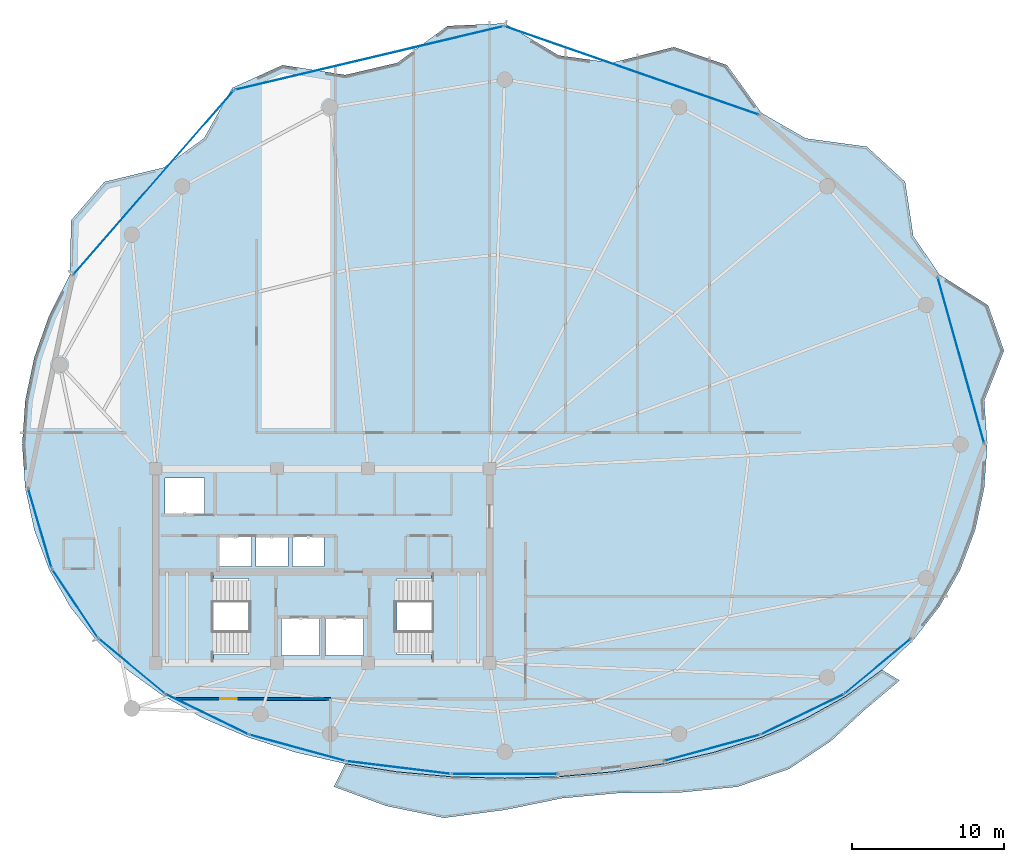
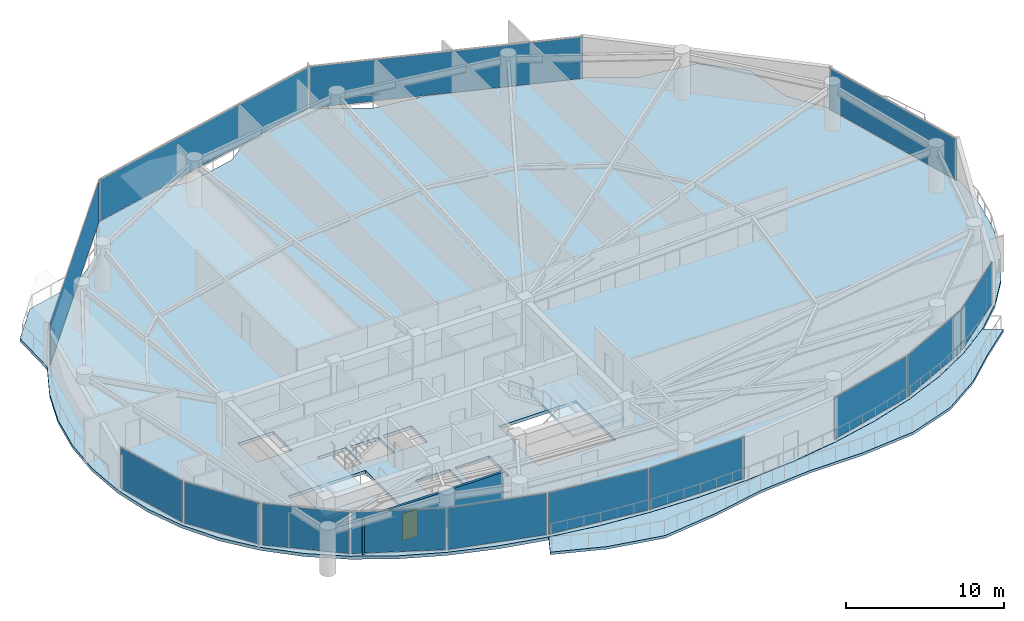
# One storey, part 22 of 28: 14 plates, 4 slabs, 1 door, 1 wall, 1 opening, 16 elements without a shape of their own.
"""IFC4 building model written with IfcOpenShell, lengths in metres."""

from ifc_helpers import new_model, si_unit, direction, frame, frame_2d, origin, origin_2d, place, context, subcontext, project, spatial, polyline, rectangle, outline, extrude, material, layer, layer_set, type_object, element, fill, aggregate, save


model = new_model("IFC4")

# Units and contexts
model_context = context("Model", 3, precision=1e-05, world=origin(), true_north=direction((0.0, 1.0)))
body_context = subcontext(model_context, "Body", "Model", "MODEL_VIEW")
ifc_project = project(units=[si_unit("LENGTHUNIT", "METRE"), si_unit("AREAUNIT", "SQUARE_METRE"), si_unit("VOLUMEUNIT", "CUBIC_METRE"), si_unit("PLANEANGLEUNIT", "RADIAN"), si_unit("MASSUNIT", "GRAM", prefix="KILO")], contexts=[model_context])

# Site, building, storey
site_placement = place(None, origin())
site = spatial("IfcSite", under=ifc_project, at=site_placement, CompositionType="ELEMENT")
building_placement = place(site_placement, origin())
building = spatial("IfcBuilding", under=site, at=building_placement, Name="Kazevale Care Tower and Concert Hall", CompositionType="ELEMENT")
storey_placement = place(building_placement, frame((0.0, 0.0, 228.0)))
storey = spatial("IfcBuildingStorey", under=building, at=storey_placement, Name="L60", CompositionType="ELEMENT", Elevation=228.0)

# Curtain wall, plate
ifc_material_1 = material(Name="Aluminium 6063-T6 and Low-E Glass", Category="aluminium")
ifc_layer_1 = layer(ifc_material_1, 0.179931640625)
ifc_layer_set_1 = layer_set([ifc_layer_1], Name="Aluminium 6063-T6 and Low-E Glass")
curtain_wall_type_1 = type_object("IfcCurtainWallType", Name="Convex Checkerboard Finned Curtain Wall CW-2", PredefinedType="NOTDEFINED", material=ifc_layer_set_1)
curtain_wall_1_placement = place(storey_placement, origin())
curtain_wall_1 = element("IfcCurtainWall", 1, at=curtain_wall_1_placement, inside=storey, type_object=curtain_wall_type_1, Name="cw:L60:f14", PredefinedType="NOTDEFINED")
ifc_material_2 = material(Name="Low-E Laminated Glass", Category="glass")
ifc_layer_2 = layer(ifc_material_2, 0.028076171875)
ifc_layer_set_2 = layer_set([ifc_layer_2], Name="Low-E Laminated Glass")
plate_type_1 = type_object("IfcPlateType", Name="CW-2 Low-E Glazing Panel 28mm", PredefinedType="CURTAIN_PANEL", material=ifc_layer_set_2)
plate_1_placement = place(storey_placement, frame((21.85009765625, 55.2529296875, 0.074951171875), z_axis=(0.0, 0.0, 1.0), x_axis=(0.657174776708, 0.753738225685, 0.0)))
plate_1 = element("IfcPlate", 2, at=plate_1_placement, type_object=plate_type_1, Name="CW-2 panel 1.1", PredefinedType="CURTAIN_PANEL", context=body_context, shape_type="SweptSolid", body=[
    extrude(rectangle(XDim=16.03662109375, YDim=0.028076171875, at=origin_2d()), origin(), (0.0, 0.0, 1.0), 3.2099609375),
])
aggregate(curtain_wall_1, [plate_1])

curtain_wall_2_placement = place(storey_placement, origin())
curtain_wall_2 = element("IfcCurtainWall", 3, at=curtain_wall_2_placement, inside=storey, type_object=curtain_wall_type_1, Name="cw:L60:f16", PredefinedType="NOTDEFINED")
plate_2_placement = place(storey_placement, frame((53.37451171875, 62.638427734375, 0.074951171875), z_axis=(0.0, 0.0, 1.0), x_axis=(0.94447485363, -0.328583704497, 0.0)))
plate_2 = element("IfcPlate", 4, at=plate_2_placement, type_object=plate_type_1, Name="CW-2 panel 1.1", PredefinedType="CURTAIN_PANEL", context=body_context, shape_type="SweptSolid", body=[
    extrude(rectangle(XDim=17.671142578125, YDim=0.028076171875, at=origin_2d()), origin(), (0.0, 0.0, 1.0), 3.2099609375),
])
aggregate(curtain_wall_2, [plate_2])

ifc_layer_3 = layer(ifc_material_1, 0.179931640625)
ifc_layer_set_3 = layer_set([ifc_layer_3], Name="Aluminium 6063-T6 and Low-E Glass")
curtain_wall_type_2 = type_object("IfcCurtainWallType", Name="Waist & Upper Residential Curtain Wall CW-4", PredefinedType="NOTDEFINED", material=ifc_layer_set_3)
curtain_wall_3_placement = place(storey_placement, origin())
curtain_wall_3 = element("IfcCurtainWall", 5, at=curtain_wall_3_placement, inside=storey, type_object=curtain_wall_type_2, Name="cw:L60:f11", PredefinedType="NOTDEFINED")
ifc_layer_4 = layer(ifc_material_2, 0.030029296875)
ifc_layer_set_4 = layer_set([ifc_layer_4], Name="Low-E Laminated Glass")
plate_type_2 = type_object("IfcPlateType", Name="CW-4 Low-E Glazing Panel 30mm", PredefinedType="CURTAIN_PANEL", material=ifc_layer_set_4)
plate_3_placement = place(storey_placement, frame((16.677978515625, 27.525390625, 0.080078125), z_axis=(0.0, 0.0, 1.0), x_axis=(-0.554616540853, 0.832106058512, 0.0)))
plate_3 = element("IfcPlate", 6, at=plate_3_placement, type_object=plate_type_2, Name="CW-4 panel 1.1", PredefinedType="CURTAIN_PANEL", context=body_context, shape_type="SweptSolid", body=[
    extrude(rectangle(XDim=5.357421875, YDim=0.030029296875, at=origin_2d()), origin(), (0.0, 0.0, 1.0), 3.199951171875),
])
aggregate(curtain_wall_3, [plate_3])

curtain_wall_4_placement = place(storey_placement, origin())
curtain_wall_4 = element("IfcCurtainWall", 7, at=curtain_wall_4_placement, inside=storey, type_object=curtain_wall_type_2, Name="cw:L60:f12", PredefinedType="NOTDEFINED")
plate_4_placement = place(storey_placement, frame((14.363525390625, 32.489013671875, 0.080078125), z_axis=(0.0, 0.0, 1.0), x_axis=(-0.282098184457, 0.959385539982, 0.0)))
plate_4 = element("IfcPlate", 8, at=plate_4_placement, type_object=plate_type_2, Name="CW-4 panel 1.1", PredefinedType="CURTAIN_PANEL", context=body_context, shape_type="SweptSolid", body=[
    extrude(rectangle(XDim=5.40185546875, YDim=0.030029296875, at=origin_2d()), origin(), (0.0, 0.0, 1.0), 3.199951171875),
])
aggregate(curtain_wall_4, [plate_4])

curtain_wall_5_placement = place(storey_placement, origin())
curtain_wall_5 = element("IfcCurtainWall", 9, at=curtain_wall_5_placement, inside=storey, type_object=curtain_wall_type_2, Name="cw:L60:f15", PredefinedType="NOTDEFINED")
plate_5_placement = place(storey_placement, frame((36.06298828125, 63.46240234375, 0.080078125), z_axis=(0.0, 0.0, 1.0), x_axis=(0.973086746233, 0.230439111929, 0.0)))
plate_5 = element("IfcPlate", 10, at=plate_5_placement, type_object=plate_type_2, Name="CW-4 panel 1.1", PredefinedType="CURTAIN_PANEL", context=body_context, shape_type="SweptSolid", body=[
    extrude(rectangle(XDim=18.11376953125, YDim=0.030029296875, at=origin_2d()), origin(), (0.0, 0.0, 1.0), 3.199951171875),
])
aggregate(curtain_wall_5, [plate_5])

curtain_wall_6_placement = place(storey_placement, origin())
curtain_wall_6 = element("IfcCurtainWall", 11, at=curtain_wall_6_placement, inside=storey, type_object=curtain_wall_type_2, Name="cw:L60:f18", PredefinedType="NOTDEFINED")
plate_6_placement = place(storey_placement, frame((75.071533203125, 43.531005859375, 0.080078125), z_axis=(0.0, 0.0, 1.0), x_axis=(0.269600864915, -0.962972156211, 0.0)))
plate_6 = element("IfcPlate", 12, at=plate_6_placement, type_object=plate_type_2, Name="CW-4 panel 1.1", PredefinedType="CURTAIN_PANEL", context=body_context, shape_type="SweptSolid", body=[
    extrude(rectangle(XDim=11.327392578125, YDim=0.030029296875, at=origin_2d()), origin(), (0.0, 0.0, 1.0), 3.199951171875),
])
aggregate(curtain_wall_6, [plate_6])

ifc_layer_5 = layer(ifc_material_1, 0.179931640625)
ifc_layer_set_5 = layer_set([ifc_layer_5], Name="Aluminium 6063-T6 and Low-E Glass")
curtain_wall_type_3 = type_object("IfcCurtainWallType", Name="Sheltered Concave Balcony Curtain Wall CW-5", PredefinedType="NOTDEFINED", material=ifc_layer_set_5)
curtain_wall_7_placement = place(storey_placement, origin())
curtain_wall_7 = element("IfcCurtainWall", 13, at=curtain_wall_7_placement, inside=storey, type_object=curtain_wall_type_3, Name="cw:L60:f02", PredefinedType="NOTDEFINED")
ifc_layer_6 = layer(ifc_material_2, 0.02587890625)
ifc_layer_set_6 = layer_set([ifc_layer_6], Name="Low-E Laminated Glass")
plate_type_3 = type_object("IfcPlateType", Name="CW-5 Low-E Glazing Panel 26mm", PredefinedType="CURTAIN_PANEL", material=ifc_layer_set_6)
plate_7_placement = place(storey_placement, frame((69.590576171875, 23.396484375, 0.074951171875), z_axis=(0.0, 0.0, 1.0), x_axis=(-0.768407210062, -0.639961217204, 0.0)))
plate_7 = element("IfcPlate", 14, at=plate_7_placement, type_object=plate_type_3, Name="CW-5 panel 1.1", PredefinedType="CURTAIN_PANEL", context=body_context, shape_type="SweptSolid", body=[
    extrude(rectangle(XDim=5.580078125, YDim=0.02587890625, at=origin_2d()), origin(), (0.0, 0.0, 1.0), 3.2099609375),
])
aggregate(curtain_wall_7, [plate_7])

curtain_wall_8_placement = place(storey_placement, origin())
curtain_wall_8 = element("IfcCurtainWall", 15, at=curtain_wall_8_placement, inside=storey, type_object=curtain_wall_type_3, Name="cw:L60:f03", PredefinedType="NOTDEFINED")
plate_8_placement = place(storey_placement, frame((64.62255859375, 20.218017578125, 0.074951171875), z_axis=(0.0, 0.0, 1.0), x_axis=(-0.89934566163, -0.437238357087, 0.0)))
plate_8 = element("IfcPlate", 16, at=plate_8_placement, type_object=plate_type_3, Name="CW-5 panel 1.1", PredefinedType="CURTAIN_PANEL", context=body_context, shape_type="SweptSolid", body=[
    extrude(rectangle(XDim=6.002197265625, YDim=0.02587890625, at=origin_2d()), origin(), (0.0, 0.0, 1.0), 3.2099609375),
])
aggregate(curtain_wall_8, [plate_8])

curtain_wall_9_placement = place(storey_placement, origin())
curtain_wall_9 = element("IfcCurtainWall", 17, at=curtain_wall_9_placement, inside=storey, type_object=curtain_wall_type_3, Name="cw:L60:f04", PredefinedType="NOTDEFINED")
plate_9_placement = place(storey_placement, frame((58.66259765625, 18.0029296875, 0.074951171875), z_axis=(0.0, 0.0, 1.0), x_axis=(-0.964836991167, -0.262848968947, 0.0)))
plate_9 = element("IfcPlate", 18, at=plate_9_placement, type_object=plate_type_3, Name="CW-5 panel 1.1", PredefinedType="CURTAIN_PANEL", context=body_context, shape_type="SweptSolid", body=[
    extrude(rectangle(XDim=6.4697265625, YDim=0.02587890625, at=origin_2d()), origin(), (0.0, 0.0, 1.0), 3.2099609375),
])
aggregate(curtain_wall_9, [plate_9])

curtain_wall_10_placement = place(storey_placement, origin())
curtain_wall_10 = element("IfcCurtainWall", 19, at=curtain_wall_10_placement, inside=storey, type_object=curtain_wall_type_3, Name="cw:L60:f06", PredefinedType="NOTDEFINED")
plate_10_placement = place(storey_placement, frame((45.0, 16.284912109375, 0.074951171875), z_axis=(0.0, 0.0, 1.0), x_axis=(-1.0, 0.0, 0.0)))
plate_10 = element("IfcPlate", 20, at=plate_10_placement, type_object=plate_type_3, Name="CW-5 panel 1.1", PredefinedType="CURTAIN_PANEL", context=body_context, shape_type="SweptSolid", body=[
    extrude(rectangle(XDim=6.949951171875, YDim=0.02587890625, at=origin_2d()), origin(), (0.0, 0.0, 1.0), 3.2099609375),
])
aggregate(curtain_wall_10, [plate_10])

curtain_wall_11_placement = place(storey_placement, origin())
curtain_wall_11 = element("IfcCurtainWall", 21, at=curtain_wall_11_placement, inside=storey, type_object=curtain_wall_type_3, Name="cw:L60:f07", PredefinedType="NOTDEFINED")
plate_11_placement = place(storey_placement, frame((37.990478515625, 16.708984375, 0.074951171875), z_axis=(0.0, 0.0, 1.0), x_axis=(-0.992572961225, 0.121650797964, 0.0)))
plate_11 = element("IfcPlate", 22, at=plate_11_placement, type_object=plate_type_3, Name="CW-5 panel 1.1", PredefinedType="CURTAIN_PANEL", context=body_context, shape_type="SweptSolid", body=[
    extrude(rectangle(XDim=6.82080078125, YDim=0.02587890625, at=origin_2d()), origin(), (0.0, 0.0, 1.0), 3.2099609375),
])
aggregate(curtain_wall_11, [plate_11])

curtain_wall_12_placement = place(storey_placement, origin())
curtain_wall_12 = element("IfcCurtainWall", 23, at=curtain_wall_12_placement, inside=storey, type_object=curtain_wall_type_3, Name="cw:L60:f08", PredefinedType="NOTDEFINED")
plate_12_placement = place(storey_placement, frame((31.33740234375, 18.0029296875, 0.074951171875), z_axis=(0.0, 0.0, 1.0), x_axis=(-0.964836991167, 0.262848968947, 0.0)))
plate_12 = element("IfcPlate", 24, at=plate_12_placement, type_object=plate_type_3, Name="CW-5 panel 1.1", PredefinedType="CURTAIN_PANEL", context=body_context, shape_type="SweptSolid", body=[
    extrude(rectangle(XDim=6.4697265625, YDim=0.02587890625, at=origin_2d()), origin(), (0.0, 0.0, 1.0), 3.2099609375),
])
aggregate(curtain_wall_12, [plate_12])

curtain_wall_13_placement = place(storey_placement, origin())
curtain_wall_13 = element("IfcCurtainWall", 25, at=curtain_wall_13_placement, inside=storey, type_object=curtain_wall_type_3, Name="cw:L60:f09", PredefinedType="NOTDEFINED")
plate_13_placement = place(storey_placement, frame((25.37744140625, 20.218017578125, 0.074951171875), z_axis=(0.0, 0.0, 1.0), x_axis=(-0.89934566163, 0.437238357087, 0.0)))
plate_13 = element("IfcPlate", 26, at=plate_13_placement, type_object=plate_type_3, Name="CW-5 panel 1.1", PredefinedType="CURTAIN_PANEL", context=body_context, shape_type="SweptSolid", body=[
    extrude(rectangle(XDim=6.002197265625, YDim=0.02587890625, at=origin_2d()), origin(), (0.0, 0.0, 1.0), 3.2099609375),
])
aggregate(curtain_wall_13, [plate_13])

curtain_wall_14_placement = place(storey_placement, origin())
curtain_wall_14 = element("IfcCurtainWall", 27, at=curtain_wall_14_placement, inside=storey, type_object=curtain_wall_type_3, Name="cw:L60:f10", PredefinedType="NOTDEFINED")
plate_14_placement = place(storey_placement, frame((20.409423828125, 23.396484375, 0.074951171875), z_axis=(0.0, 0.0, 1.0), x_axis=(-0.768407210062, 0.639961217204, 0.0)))
plate_14 = element("IfcPlate", 28, at=plate_14_placement, type_object=plate_type_3, Name="CW-5 panel 1.1", PredefinedType="CURTAIN_PANEL", context=body_context, shape_type="SweptSolid", body=[
    extrude(rectangle(XDim=5.580078125, YDim=0.02587890625, at=origin_2d()), origin(), (0.0, 0.0, 1.0), 3.2099609375),
])
aggregate(curtain_wall_14, [plate_14])

# Slab
ifc_material_3 = material(Name="Concrete C40", Category="concrete")
ifc_layer_7 = layer(ifc_material_3, 0.199951171875)
ifc_layer_set_7 = layer_set([ifc_layer_7], Name="Concrete C40")
slab_type_1 = type_object("IfcSlabType", Name="Sinusoidal Concave Balcony Slab 200", PredefinedType="USERDEFINED", material=ifc_layer_set_7)
slab_1_placement = place(storey_placement, frame((0.0, 0.0, -0.199951171875)))
element("IfcSlab", 29, at=slab_1_placement, inside=storey, type_object=slab_type_1, Name="slab:L60:bal", ObjectType="BALCONY", PredefinedType="USERDEFINED", context=body_context, shape_type="SweptSolid", body=[
    extrude(outline(polyline([(71.021240234375, 22.44384765625), (68.714599609375, 20.504150390625), (66.472900390625, 18.43408203125), (63.746826171875, 16.6181640625), (60.34375, 15.43994140625), (56.45263671875, 15.052978515625), (52.53369140625, 15.027099609375), (48.791259765625, 14.6865234375), (45.0, 13.91357421875), (40.998046875, 13.39111328125), (37.187744140625, 14.177734375), (33.743408203125, 15.446044921875), (34.494873046875, 16.951416015625), (34.49609375, 16.951171875), (37.923095703125, 16.417236328125), (41.439208984375, 16.10009765625), (45.0, 15.9951171875), (48.560791015625, 16.10009765625), (52.076904296875, 16.417236328125), (55.50390625, 16.951171875), (58.798828125, 17.708740234375), (61.92041015625, 18.69873046875), (64.8291015625, 19.92919921875), (67.48876953125, 21.406494140625), (69.865478515625, 23.133056640625), (69.86669921875, 23.13427734375), (71.021240234375, 22.44384765625)])), origin(), (0.0, 0.0, 1.0), 0.199951171875),
])

# Stair, slab
stair_type = type_object("IfcStairType", Name="Exit Stair Assembly ST1-Z3", PredefinedType="HALF_TURN_STAIR", material=ifc_material_3)
stair_1_placement = place(storey_placement, origin())
stair_1 = element("IfcStair", 30, at=stair_1_placement, inside=storey, type_object=stair_type, Name="stair:L60:ST1", PredefinedType="HALF_TURN_STAIR")
ifc_layer_8 = layer(ifc_material_3, 0.199951171875)
ifc_layer_set_8 = layer_set([ifc_layer_8], Name="Concrete C40")
slab_type_2 = type_object("IfcSlabType", Name="Stair Half-Landing Slab ST1-Z3", PredefinedType="LANDING", material=ifc_layer_set_8)
slab_2_placement = place(storey_placement, frame((0.0, 0.0, 1.60009765625)))
slab_2 = element("IfcSlab", 31, at=slab_2_placement, type_object=slab_type_2, Name="ST1-Z3 landing 1", PredefinedType="LANDING", context=body_context, shape_type="SweptSolid", body=[
    extrude(outline(polyline([(22.050048828125, 23.699951171875), (25.81005859375, 23.699951171875), (25.81005859375, 29.5), (22.050048828125, 29.5), (22.050048828125, 23.699951171875)])), origin(), (0.0, 0.0, 1.0), 0.199951171875),
])
aggregate(stair_1, [slab_2])

stair_2_placement = place(storey_placement, origin())
stair_2 = element("IfcStair", 32, at=stair_2_placement, inside=storey, type_object=stair_type, Name="stair:L60:ST2", PredefinedType="HALF_TURN_STAIR")
slab_3_placement = place(storey_placement, frame((0.0, 0.0, 1.60009765625)))
slab_3 = element("IfcSlab", 33, at=slab_3_placement, type_object=slab_type_2, Name="ST1-Z3 landing 1", PredefinedType="LANDING", context=body_context, shape_type="SweptSolid", body=[
    extrude(outline(polyline([(40.18994140625, 23.699951171875), (43.949951171875, 23.699951171875), (43.949951171875, 29.5), (40.18994140625, 29.5), (40.18994140625, 23.699951171875)])), origin(), (0.0, 0.0, 1.0), 0.199951171875),
])
aggregate(stair_2, [slab_3])

# Slab
ifc_layer_9 = layer(ifc_material_3, 0.239990234375)
ifc_layer_set_9 = layer_set([ifc_layer_9], Name="Concrete C40")
slab_type_3 = type_object("IfcSlabType", Name="Tower Typical Floor Slab 240", PredefinedType="FLOOR", material=ifc_layer_set_9)
slab_4_placement = place(storey_placement, frame((0.0, 0.0, -0.239990234375)))
element("IfcSlab", 34, at=slab_4_placement, inside=storey, type_object=slab_type_3, Name="slab:L60:tw:1", PredefinedType="FLOOR", context=body_context, shape_type="SweptSolid", body=[
    extrude(outline(polyline([(76.800048828125, 38.0), (76.60009765625, 40.888671875), (77.90380859375, 44.175048828125), (76.856201171875, 47.165283203125), (73.65087890625, 49.194091796875), (71.92578125, 51.726318359375), (71.38671875, 55.3017578125), (68.864990234375, 57.622314453125), (64.826904296875, 58.17138671875), (61.918701171875, 59.845458984375), (59.6435546875, 63.001953125), (56.14697265625, 64.19287109375), (52.076171875, 63.153076171875), (48.560546875, 63.6376953125), (45.0, 65.75), (41.22119140625, 65.575439453125), (37.923828125, 63.153076171875), (34.4970703125, 62.352294921875), (30.3564453125, 63.001953125), (27.0439453125, 61.49658203125), (25.173095703125, 58.17138671875), (22.513916015625, 56.243408203125), (18.61328125, 55.3017578125), (16.423095703125, 52.763916015625), (16.34912109375, 49.194091796875), (14.984619140625, 46.521240234375), (13.997314453125, 43.740966796875), (13.39990234375, 40.888671875), (13.199951171875, 38.0), (13.39990234375, 35.131103515625), (13.997314453125, 32.362060546875), (14.984619140625, 29.744873046875), (16.34912109375, 27.318115234375), (18.07421875, 25.109130859375), (20.1376953125, 23.13671875), (22.513916015625, 21.41064453125), (25.173095703125, 19.933837890625), (28.081298828125, 18.70361328125), (31.202392578125, 17.713623046875), (34.4970703125, 16.9560546875), (37.923828125, 16.422119140625), (41.439453125, 16.10498046875), (45.0, 16.0), (48.560546875, 16.10498046875), (52.076171875, 16.422119140625), (55.5029296875, 16.9560546875), (58.797607421875, 17.713623046875), (61.918701171875, 18.70361328125), (64.826904296875, 19.933837890625), (67.486083984375, 21.41064453125), (69.8623046875, 23.13671875), (71.92578125, 25.109130859375), (73.65087890625, 27.318115234375), (75.015380859375, 29.744873046875), (76.002685546875, 32.362060546875), (76.60009765625, 35.131103515625), (76.800048828125, 38.0)]), holes=[polyline([(22.449951171875, 24.14990234375), (28.110107421875, 24.14990234375), (28.110107421875, 29.14990234375), (22.449951171875, 29.14990234375), (22.449951171875, 24.14990234375)]), polyline([(37.889892578125, 24.14990234375), (43.550048828125, 24.14990234375), (43.550048828125, 29.14990234375), (37.889892578125, 29.14990234375), (37.889892578125, 24.14990234375)]), polyline([(30.300048828125, 24.10009765625), (32.800048828125, 24.10009765625), (32.800048828125, 26.60009765625), (30.300048828125, 26.60009765625), (30.300048828125, 24.10009765625)]), polyline([(33.199951171875, 24.10009765625), (35.699951171875, 24.10009765625), (35.699951171875, 26.60009765625), (33.199951171875, 26.60009765625), (33.199951171875, 24.10009765625)]), polyline([(22.60009765625, 33.39990234375), (25.199951171875, 33.39990234375), (25.199951171875, 35.800048828125), (22.60009765625, 35.800048828125), (22.60009765625, 33.39990234375)]), polyline([(26.199951171875, 29.949951171875), (28.300048828125, 29.949951171875), (28.300048828125, 31.949951171875), (26.199951171875, 31.949951171875), (26.199951171875, 29.949951171875)]), polyline([(28.60009765625, 29.949951171875), (30.699951171875, 29.949951171875), (30.699951171875, 31.949951171875), (28.60009765625, 31.949951171875), (28.60009765625, 29.949951171875)]), polyline([(31.0, 29.949951171875), (33.10009765625, 29.949951171875), (33.10009765625, 31.949951171875), (31.0, 31.949951171875), (31.0, 29.949951171875)])]), origin(), (0.0, 0.0, 1.0), 0.239990234375),
])

# Wall, opening, door
ifc_material_4 = material(Name="Concrete C40 and Acoustic Gypsum", Category="concrete")
ifc_layer_10 = layer(ifc_material_4, 0.179931640625)
ifc_layer_set_10 = layer_set([ifc_layer_10], Name="Concrete C40 and Acoustic Gypsum")
wall_type = type_object("IfcWallType", Name="Fire-Rated Corridor & Party Wall 180", PredefinedType="PARTITIONING", material=ifc_layer_set_10)
wall_placement = place(storey_placement, frame((33.56494140625, 21.22509765625, 0.0), z_axis=(0.0, 0.0, 1.0), x_axis=(-0.999998619279, 0.001661758222, 0.0)))
wall = element("IfcWall", 35, at=wall_placement, inside=storey, type_object=wall_type, Name="wall:L60:auto_013", PredefinedType="PARTITIONING", context=body_context, shape_type="SweptSolid", body=[
    extrude(rectangle(XDim=10.2841796875, YDim=0.179931640625, at=frame_2d((5.14208984375, 0.0))), origin(), (0.0, 0.0, 1.0), 2.805908203125),
])
opening_placement = place(wall_placement, frame((6.22900390625, 0.0, 0.0)))
opening = element("IfcOpeningElement", 36, at=opening_placement, cuts=wall, Name="Opening ID-1100", PredefinedType="OPENING", context=body_context, shape_type="SweptSolid", body=[
    extrude(rectangle(XDim=1.10009765625, YDim=2.10009765625, at=frame_2d((0.550048828125, 1.050048828125))), frame((0.0, 0.099853515625, 0.0), z_axis=(0.0, -1.0, 0.0), x_axis=(1.0, 0.0, 0.0)), (0.0, 0.0, 1.0), 0.199951171875),
])
ifc_material_5 = material(Name="Oak Timber Fire Leaf", Category="wood")
door_type = type_object("IfcDoorType", Name="Care Bedroom Accessible Door 1100x2100", OperationType="NOTDEFINED", PredefinedType="DOOR", material=ifc_material_5)
door_placement = place(opening_placement, origin())
door = element("IfcDoor", 37, at=door_placement, inside=storey, type_object=door_type, Name="door:L60:ad_013", OperationType="SINGLE_SWING_LEFT", OverallHeight=2.10009765625, OverallWidth=1.10009765625, PredefinedType="DOOR", context=body_context, shape_type="SweptSolid", body=[
    extrude(rectangle(XDim=1.10009765625, YDim=2.10009765625, at=frame_2d((0.550048828125, 1.050048828125))), frame((0.0, 0.02490234375, 0.0), z_axis=(0.0, -1.0, 0.0), x_axis=(1.0, 0.0, 0.0)), (0.0, 0.0, 1.0), 0.050048828125),
])
fill(opening, door)

save(model, "model.ifc")
